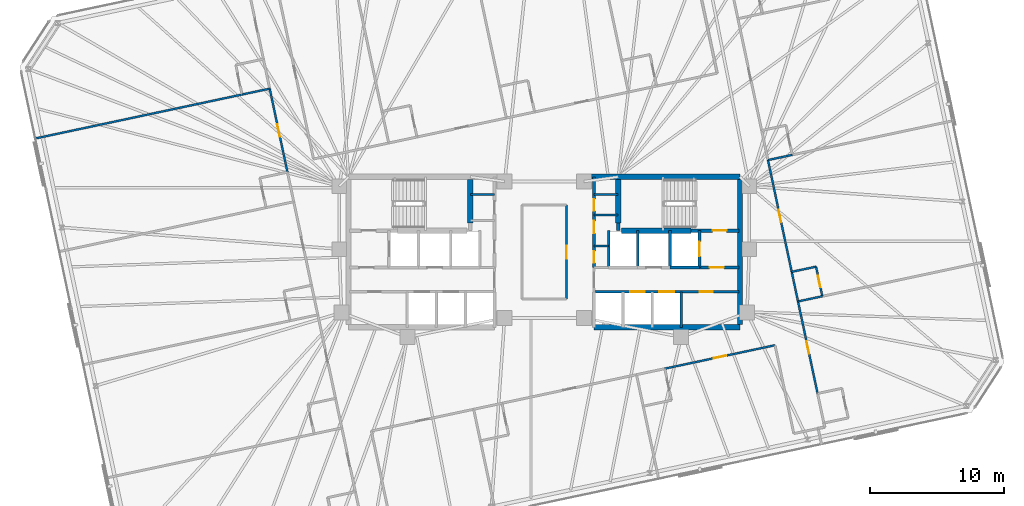
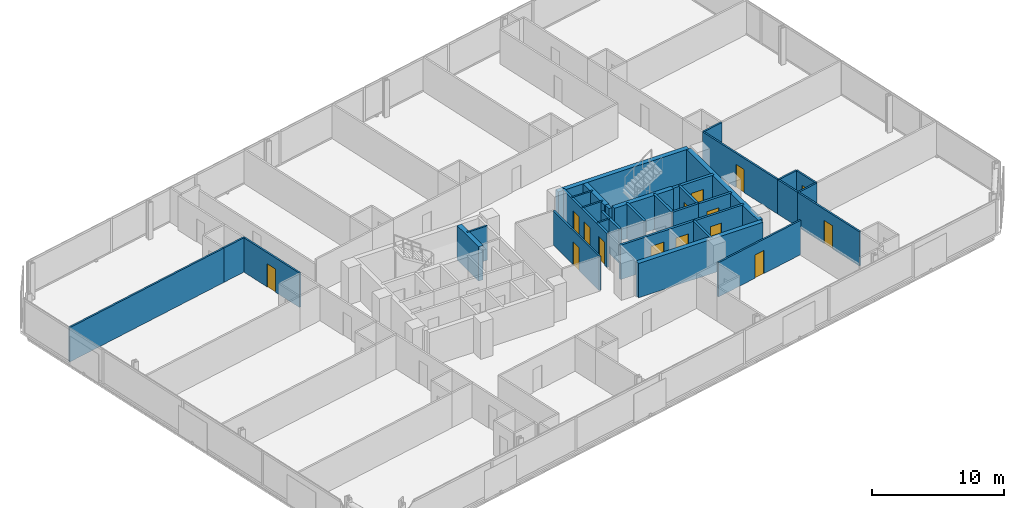
# One storey, part 16 of 19: 33 walls, 15 doors, 15 openings.
"""IFC4 building model written with IfcOpenShell, lengths in metres."""

from ifc_helpers import new_model, si_unit, direction, frame, frame_2d, origin, place, context, subcontext, project, spatial, rectangle, extrude, material, layer, layer_set, type_object, element, fill, save


model = new_model("IFC4")

# Units and contexts
model_context = context("Model", 3, precision=1e-05, world=origin(), true_north=direction((0.0, 1.0)))
body_context = subcontext(model_context, "Body", "Model", "MODEL_VIEW")
ifc_project = project(units=[si_unit("LENGTHUNIT", "METRE"), si_unit("AREAUNIT", "SQUARE_METRE"), si_unit("VOLUMEUNIT", "CUBIC_METRE"), si_unit("PLANEANGLEUNIT", "RADIAN"), si_unit("MASSUNIT", "GRAM", prefix="KILO")], contexts=[model_context])

# Site, building, storey
site_placement = place(None, origin())
site = spatial("IfcSite", under=ifc_project, at=site_placement, CompositionType="ELEMENT")
building_placement = place(site_placement, origin())
building = spatial("IfcBuilding", under=site, at=building_placement, Name="Menara Jurai Vektor", CompositionType="ELEMENT")
storey_placement = place(building_placement, frame((0.0, 0.0, 161.60009765625)))
storey = spatial("IfcBuildingStorey", under=building, at=storey_placement, Name="L41", CompositionType="ELEMENT", Elevation=161.60009765625)

# Wall, opening, door
ifc_material_1 = material(Name="Concrete C40/50", Category="concrete")
ifc_layer_1 = layer(ifc_material_1, 0.25)
ifc_layer_set_1 = layer_set([ifc_layer_1], Name="Concrete C40/50")
wall_type_1 = type_object("IfcWallType", Name="INT-WALL-CORE-250", PredefinedType="STANDARD", material=ifc_layer_set_1)
wall_1_placement = place(storey_placement, frame((10.89990234375, 1.60009765625, 0.0), z_axis=(0.0, 0.0, 1.0), x_axis=(1.0, 0.0, 0.0)))
wall_1 = element("IfcWall", 1, at=wall_1_placement, inside=storey, type_object=wall_type_1, Name="Interior Wall IW-250 L41", PredefinedType="STANDARD", context=body_context, shape_type="SweptSolid", body=[
    extrude(rectangle(XDim=3.60009765625, YDim=0.25, at=frame_2d((1.800048828125, 0.0))), origin(), (0.0, 0.0, 1.0), 3.1748046875),
])
opening_1_placement = place(wall_1_placement, frame((1.6201171875, 0.0, 0.0)))
opening_1 = element("IfcOpeningElement", 2, at=opening_1_placement, cuts=wall_1, Name="Opening D-L41-ST2", PredefinedType="OPENING", context=body_context, shape_type="SweptSolid", body=[
    extrude(rectangle(XDim=1.050048828125, YDim=2.14990234375, at=frame_2d((0.52490234375, 1.074951171875))), frame((0.0, 0.135009765625, 0.0), z_axis=(0.0, -1.0, 0.0), x_axis=(1.0, 0.0, 0.0)), (0.0, 0.0, 1.0), 0.27001953125),
])
ifc_material_2 = material(Name="Fire-Rated Steel Door", Category="steel")
door_type_1 = type_object("IfcDoorType", Name="DR-STAIR-1050", OperationType="NOTDEFINED", PredefinedType="DOOR", material=ifc_material_2)
door_1_placement = place(opening_1_placement, origin())
door_1 = element("IfcDoor", 3, at=door_1_placement, inside=storey, type_object=door_type_1, Name="Exit Stair ST2 Door L41", OperationType="SINGLE_SWING_LEFT", OverallHeight=2.14990234375, OverallWidth=1.050048828125, PredefinedType="DOOR", context=body_context, shape_type="SweptSolid", body=[
    extrude(rectangle(XDim=1.050048828125, YDim=2.14990234375, at=frame_2d((0.52490234375, 1.074951171875))), frame((0.0, 0.02490234375, 0.0), z_axis=(0.0, -1.0, 0.0), x_axis=(1.0, 0.0, 0.0)), (0.0, 0.0, 1.0), 0.050048828125),
])
fill(opening_1, door_1)

# Wall
wall_2_placement = place(storey_placement, frame((5.5, 1.60009765625, 0.0), z_axis=(0.0, 0.0, 1.0), x_axis=(0.0, 1.0, 0.0)))
element("IfcWall", 4, at=wall_2_placement, inside=storey, type_object=wall_type_1, Name="Interior Wall IW-250 L41", PredefinedType="STANDARD", context=body_context, shape_type="SweptSolid", body=[
    extrude(rectangle(XDim=0.5498046875, YDim=0.25, at=frame_2d((0.27490234375, 0.0))), origin(), (0.0, 0.0, 1.0), 3.1748046875),
])

# Wall, opening, door
wall_3_placement = place(storey_placement, frame((11.550048828125, -1.14990234375, 0.0), z_axis=(0.0, 0.0, 1.0), x_axis=(0.0, 1.0, 0.0)))
wall_3 = element("IfcWall", 5, at=wall_3_placement, inside=storey, type_object=wall_type_1, Name="Interior Wall IW-250 L41", PredefinedType="STANDARD", context=body_context, shape_type="SweptSolid", body=[
    extrude(rectangle(XDim=2.75, YDim=0.199951171875, at=frame_2d((1.375, 0.0))), origin(), (0.0, 0.0, 1.0), 3.1748046875),
])
opening_2_placement = place(wall_3_placement, frame((0.824951171875, 0.0, 0.0)))
opening_2 = element("IfcOpeningElement", 6, at=opening_2_placement, cuts=wall_3, Name="Opening LD-L41-FL2", PredefinedType="OPENING", context=body_context, shape_type="SweptSolid", body=[
    extrude(rectangle(XDim=1.10009765625, YDim=2.14990234375, at=frame_2d((0.550048828125, 1.074951171875))), frame((0.0, 0.10986328125, 0.0), z_axis=(0.0, -1.0, 0.0), x_axis=(1.0, 0.0, 0.0)), (0.0, 0.0, 1.0), 0.219970703125),
])
ifc_material_3 = material(Name="Stainless Steel Sliding Lift Landing Door", Category="steel")
door_type_2 = type_object("IfcDoorType", Name="DR-LIFT-FIRE-1100", OperationType="NOTDEFINED", PredefinedType="DOOR", material=ifc_material_3)
door_2_placement = place(opening_2_placement, origin())
door_2 = element("IfcDoor", 7, at=door_2_placement, inside=storey, type_object=door_type_2, Name="Lift Landing Door FL2 L41", OperationType="SLIDING_TO_RIGHT", OverallHeight=2.14990234375, OverallWidth=1.10009765625, PredefinedType="DOOR", context=body_context, shape_type="SweptSolid", body=[
    extrude(rectangle(XDim=1.10009765625, YDim=2.14990234375, at=frame_2d((0.550048828125, 1.074951171875))), frame((0.0, 0.02490234375, 0.0), z_axis=(0.0, -1.0, 0.0), x_axis=(1.0, 0.0, 0.0)), (0.0, 0.0, 1.0), 0.050048828125),
])
fill(opening_2, door_2)

# Wall
wall_4_placement = place(storey_placement, frame((9.35009765625, -1.14990234375, 0.0), z_axis=(0.0, 0.0, 1.0), x_axis=(0.0, 1.0, 0.0)))
element("IfcWall", 8, at=wall_4_placement, inside=storey, type_object=wall_type_1, Name="Interior Wall IW-250 L41", PredefinedType="STANDARD", context=body_context, shape_type="SweptSolid", body=[
    extrude(rectangle(XDim=2.75, YDim=0.199951171875, at=frame_2d((1.375, 0.0))), origin(), (0.0, 0.0, 1.0), 3.1748046875),
])

# Wall, opening, door
wall_5_placement = place(storey_placement, frame((11.550048828125, -1.14990234375, 0.0), z_axis=(0.0, 0.0, 1.0), x_axis=(1.0, 0.0, 0.0)))
wall_5 = element("IfcWall", 9, at=wall_5_placement, inside=storey, type_object=wall_type_1, Name="Interior Wall IW-250 L41", PredefinedType="STANDARD", context=body_context, shape_type="SweptSolid", body=[
    extrude(rectangle(XDim=2.949951171875, YDim=0.199951171875, at=frame_2d((1.47509765625, 0.0))), origin(), (0.0, 0.0, 1.0), 3.1748046875),
])
opening_3_placement = place(wall_5_placement, frame((0.75, 0.0, 0.0)))
opening_3 = element("IfcOpeningElement", 10, at=opening_3_placement, cuts=wall_5, Name="Opening D-L41-FFE", PredefinedType="OPENING", context=body_context, shape_type="SweptSolid", body=[
    extrude(rectangle(XDim=1.050048828125, YDim=2.179931640625, at=frame_2d((0.52490234375, 1.08984375))), frame((0.0, 0.10986328125, 0.0), z_axis=(0.0, -1.0, 0.0), x_axis=(1.0, 0.0, 0.0)), (0.0, 0.0, 1.0), 0.219970703125),
])
ifc_material_4 = material(Name="Fire-Rated Timber Door", Category="wood")
door_type_3 = type_object("IfcDoorType", Name="DR-LOBBY-1050", OperationType="NOTDEFINED", PredefinedType="DOOR", material=ifc_material_4)
door_3_placement = place(opening_3_placement, origin())
door_3 = element("IfcDoor", 11, at=door_3_placement, inside=storey, type_object=door_type_3, Name="Fire Lift Lobby Door E L41", OperationType="SINGLE_SWING_LEFT", OverallHeight=2.179931640625, OverallWidth=1.050048828125, PredefinedType="DOOR", context=body_context, shape_type="SweptSolid", body=[
    extrude(rectangle(XDim=1.050048828125, YDim=2.179931640625, at=frame_2d((0.52490234375, 1.08984375))), frame((0.0, 0.02490234375, 0.0), z_axis=(0.0, -1.0, 0.0), x_axis=(1.0, 0.0, 0.0)), (0.0, 0.0, 1.0), 0.050048828125),
])
fill(opening_3, door_3)

# Walls
wall_6_placement = place(storey_placement, frame((9.35009765625, -1.14990234375, 0.0), z_axis=(0.0, 0.0, 1.0), x_axis=(1.0, 0.0, 0.0)))
element("IfcWall", 12, at=wall_6_placement, inside=storey, type_object=wall_type_1, Name="Interior Wall IW-250 L41", PredefinedType="STANDARD", context=body_context, shape_type="SweptSolid", body=[
    extrude(rectangle(XDim=2.199951171875, YDim=0.199951171875, at=frame_2d((1.10009765625, 0.0))), origin(), (0.0, 0.0, 1.0), 3.1748046875),
])
ifc_material_5 = material(Name="Gypsum Fireboard Partition", Category="gypsum")
ifc_layer_2 = layer(ifc_material_5, 0.14990234375)
ifc_layer_set_2 = layer_set([ifc_layer_2], Name="Gypsum Fireboard Partition")
wall_type_2 = type_object("IfcWallType", Name="INT-WALL-CORR-150", PredefinedType="PARTITIONING", material=ifc_layer_set_2)
for number, where, z_axis, x_axis, name in (
    (13, (-5.5, 4.300048828125, 0.0), (0.0, 0.0, 1.0), (1.0, 0.0, 0.0), "Interior Wall IW-150 L41"),
    (14, (3.699951171875, 4.300048828125, 0.0), (0.0, 0.0, 1.0), (1.0, 0.0, 0.0), "Interior Wall IW-150 L41"),
):
    element("IfcWall", number, at=place(storey_placement, frame(where, z_axis=z_axis, x_axis=x_axis)), inside=storey, type_object=wall_type_2, Name=name, PredefinedType="PARTITIONING", context=body_context, shape_type="SweptSolid", body=[
        extrude(rectangle(XDim=1.800048828125, YDim=0.14990234375, at=frame_2d((0.89990234375, 0.0))), origin(), (0.0, 0.0, 1.0), 3.1748046875),
    ])
wall_7_placement = place(storey_placement, frame((3.699951171875, 0.449951171875, 0.0), z_axis=(0.0, 0.0, 1.0), x_axis=(1.0, 0.0, 0.0)))
element("IfcWall", 15, at=wall_7_placement, inside=storey, type_object=wall_type_2, Name="Interior Wall IW-150 L41", PredefinedType="PARTITIONING", context=body_context, shape_type="SweptSolid", body=[
    extrude(rectangle(XDim=1.090087890625, YDim=0.14990234375, at=frame_2d((0.544921875, 0.0))), origin(), (0.0, 0.0, 1.0), 3.1748046875),
])
wall_8_placement = place(storey_placement, frame((3.699951171875, 2.75, 0.0), z_axis=(0.0, 0.0, 1.0), x_axis=(1.0, 0.0, 0.0)))
element("IfcWall", 16, at=wall_8_placement, inside=storey, type_object=wall_type_2, Name="Interior Wall IW-150 L41", PredefinedType="PARTITIONING", context=body_context, shape_type="SweptSolid", body=[
    extrude(rectangle(XDim=1.800048828125, YDim=0.14990234375, at=frame_2d((0.89990234375, 0.0))), origin(), (0.0, 0.0, 1.0), 3.1748046875),
])

# Wall, opening, door
wall_9_placement = place(storey_placement, frame((1.650390625, -3.490234375, 0.0), z_axis=(0.0, 0.0, 1.0), x_axis=(-6.9952083e-05, 0.999999997553, 0.0)))
wall_9 = element("IfcWall", 17, at=wall_9_placement, inside=storey, type_object=wall_type_2, Name="Interior Wall IW-150 L41", PredefinedType="PARTITIONING", context=body_context, shape_type="SweptSolid", body=[
    extrude(rectangle(XDim=6.980224609375, YDim=0.14990234375, at=frame_2d((3.490234375, 0.0))), origin(), (0.0, 0.0, 1.0), 3.1748046875),
])
opening_4_placement = place(wall_9_placement, frame((3.01513671875, 0.0, 0.0)))
opening_4 = element("IfcOpeningElement", 18, at=opening_4_placement, cuts=wall_9, Name="Opening D41-08", PredefinedType="OPENING", context=body_context, shape_type="SweptSolid", body=[
    extrude(rectangle(XDim=0.949951171875, YDim=2.14990234375, at=frame_2d((0.47509765625, 1.074951171875))), frame((0.0, 0.0849609375, 0.0), z_axis=(0.0, -1.0, 0.0), x_axis=(1.0, 0.0, 0.0)), (0.0, 0.0, 1.0), 0.169921875),
])
ifc_material_6 = material(Name="Solid Core Timber Fire Door", Category="wood")
door_type_4 = type_object("IfcDoorType", Name="DR-ENTRY-950", OperationType="NOTDEFINED", PredefinedType="DOOR", material=ifc_material_6)
door_4_placement = place(opening_4_placement, origin())
door_4 = element("IfcDoor", 19, at=door_4_placement, inside=storey, type_object=door_type_4, Name="Interior Door D41-08", OperationType="SINGLE_SWING_LEFT", OverallHeight=2.14990234375, OverallWidth=0.949951171875, PredefinedType="DOOR", context=body_context, shape_type="SweptSolid", body=[
    extrude(rectangle(XDim=0.949951171875, YDim=2.14990234375, at=frame_2d((0.47509765625, 1.074951171875))), frame((0.0, 0.02490234375, 0.0), z_axis=(0.0, -1.0, 0.0), x_axis=(1.0, 0.0, 0.0)), (0.0, 0.0, 1.0), 0.050048828125),
])
fill(opening_4, door_4)

wall_10_placement = place(storey_placement, frame((8.963623046875, -8.66796875, 0.0), z_axis=(0.0, 0.0, 1.0), x_axis=(0.978149300771, 0.20790369261, 0.0)))
wall_10 = element("IfcWall", 20, at=wall_10_placement, inside=storey, type_object=wall_type_2, Name="Interior Wall IW-150 L41", PredefinedType="PARTITIONING", context=body_context, shape_type="SweptSolid", body=[
    extrude(rectangle(XDim=8.382080078125, YDim=0.14990234375, at=frame_2d((4.19091796875, 0.0))), origin(), (0.0, 0.0, 1.0), 3.1748046875),
])
opening_5_placement = place(wall_10_placement, frame((3.73095703125, 0.0, 0.0)))
opening_5 = element("IfcOpeningElement", 21, at=opening_5_placement, cuts=wall_10, Name="Opening D41-19", PredefinedType="OPENING", context=body_context, shape_type="SweptSolid", body=[
    extrude(rectangle(XDim=0.919921875, YDim=2.14990234375, at=frame_2d((0.4599609375, 1.074951171875))), frame((0.0, 0.0849609375, 0.0), z_axis=(0.0, -1.0, 0.0), x_axis=(1.0, 0.0, 0.0)), (0.0, 0.0, 1.0), 0.169921875),
])
door_5_placement = place(opening_5_placement, origin())
door_5 = element("IfcDoor", 22, at=door_5_placement, inside=storey, type_object=door_type_4, Name="Interior Door D41-19", OperationType="SINGLE_SWING_RIGHT", OverallHeight=2.14990234375, OverallWidth=0.919921875, PredefinedType="DOOR", context=body_context, shape_type="SweptSolid", body=[
    extrude(rectangle(XDim=0.919921875, YDim=2.14990234375, at=frame_2d((0.4599609375, 1.074951171875))), frame((0.0, 0.02490234375, 0.0), z_axis=(0.0, -1.0, 0.0), x_axis=(1.0, 0.0, 0.0)), (0.0, 0.0, 1.0), 0.050048828125),
])
fill(opening_5, door_5)

wall_11_placement = place(storey_placement, frame((-19.10107421875, 5.9462890625, 0.0), z_axis=(0.0, 0.0, 1.0), x_axis=(-0.207916691923, 0.978146537703, 0.0)))
wall_11 = element("IfcWall", 23, at=wall_11_placement, inside=storey, type_object=wall_type_2, Name="Interior Wall IW-150 L41", PredefinedType="PARTITIONING", context=body_context, shape_type="SweptSolid", body=[
    extrude(rectangle(XDim=6.35009765625, YDim=0.14990234375, at=frame_2d((3.175048828125, 0.0))), origin(), (0.0, 0.0, 1.0), 3.1748046875),
])
opening_6_placement = place(wall_11_placement, frame((2.699951171875, 0.0, 0.0)))
opening_6 = element("IfcOpeningElement", 24, at=opening_6_placement, cuts=wall_11, Name="Opening D41-27", PredefinedType="OPENING", context=body_context, shape_type="SweptSolid", body=[
    extrude(rectangle(XDim=0.949951171875, YDim=2.14990234375, at=frame_2d((0.47509765625, 1.074951171875))), frame((0.0, 0.0849609375, 0.0), z_axis=(0.0, -1.0, 0.0), x_axis=(1.0, 0.0, 0.0)), (0.0, 0.0, 1.0), 0.169921875),
])
door_6_placement = place(opening_6_placement, origin())
door_6 = element("IfcDoor", 25, at=door_6_placement, inside=storey, type_object=door_type_4, Name="Interior Door D41-27", OperationType="SINGLE_SWING_RIGHT", OverallHeight=2.14990234375, OverallWidth=0.949951171875, PredefinedType="DOOR", context=body_context, shape_type="SweptSolid", body=[
    extrude(rectangle(XDim=0.949951171875, YDim=2.14990234375, at=frame_2d((0.47509765625, 1.074951171875))), frame((0.0, 0.02490234375, 0.0), z_axis=(0.0, -1.0, 0.0), x_axis=(1.0, 0.0, 0.0)), (0.0, 0.0, 1.0), 0.050048828125),
])
fill(opening_6, door_6)

wall_12_placement = place(storey_placement, frame((20.328125, -10.515380859375, 0.0), z_axis=(0.0, 0.0, 1.0), x_axis=(-0.207906726269, 0.978148655968, 0.0)))
wall_12 = element("IfcWall", 26, at=wall_12_placement, inside=storey, type_object=wall_type_2, Name="Interior Wall IW-150 L41", PredefinedType="PARTITIONING", context=body_context, shape_type="SweptSolid", body=[
    extrude(rectangle(XDim=7.0, YDim=0.14990234375, at=frame_2d((3.5, 0.0))), origin(), (0.0, 0.0, 1.0), 3.1748046875),
])
opening_7_placement = place(wall_12_placement, frame((3.02490234375, 0.0, 0.0)))
opening_7 = element("IfcOpeningElement", 27, at=opening_7_placement, cuts=wall_12, Name="Opening D41-31", PredefinedType="OPENING", context=body_context, shape_type="SweptSolid", body=[
    extrude(rectangle(XDim=0.949951171875, YDim=2.14990234375, at=frame_2d((0.47509765625, 1.074951171875))), frame((0.0, 0.0849609375, 0.0), z_axis=(0.0, -1.0, 0.0), x_axis=(1.0, 0.0, 0.0)), (0.0, 0.0, 1.0), 0.169921875),
])
door_7_placement = place(opening_7_placement, origin())
door_7 = element("IfcDoor", 28, at=door_7_placement, inside=storey, type_object=door_type_4, Name="Interior Door D41-31", OperationType="SINGLE_SWING_RIGHT", OverallHeight=2.14990234375, OverallWidth=0.949951171875, PredefinedType="DOOR", context=body_context, shape_type="SweptSolid", body=[
    extrude(rectangle(XDim=0.949951171875, YDim=2.14990234375, at=frame_2d((0.47509765625, 1.074951171875))), frame((0.0, 0.02490234375, 0.0), z_axis=(0.0, -1.0, 0.0), x_axis=(1.0, 0.0, 0.0)), (0.0, 0.0, 1.0), 0.050048828125),
])
fill(opening_7, door_7)

wall_13_placement = place(storey_placement, frame((18.40478515625, -1.4677734375, 0.0), z_axis=(0.0, 0.0, 1.0), x_axis=(-0.207888984761, 0.97815242678, 0.0)))
wall_13 = element("IfcWall", 29, at=wall_13_placement, inside=storey, type_object=wall_type_2, Name="Interior Wall IW-150 L41", PredefinedType="PARTITIONING", context=body_context, shape_type="SweptSolid", body=[
    extrude(rectangle(XDim=8.500244140625, YDim=0.14990234375, at=frame_2d((4.25, 0.0))), origin(), (0.0, 0.0, 1.0), 3.1748046875),
])
opening_8_placement = place(wall_13_placement, frame((3.77490234375, 0.0, 0.0)))
opening_8 = element("IfcOpeningElement", 30, at=opening_8_placement, cuts=wall_13, Name="Opening D41-33", PredefinedType="OPENING", context=body_context, shape_type="SweptSolid", body=[
    extrude(rectangle(XDim=0.949951171875, YDim=2.14990234375, at=frame_2d((0.47509765625, 1.074951171875))), frame((0.0, 0.0849609375, 0.0), z_axis=(0.0, -1.0, 0.0), x_axis=(1.0, 0.0, 0.0)), (0.0, 0.0, 1.0), 0.169921875),
])
door_8_placement = place(opening_8_placement, origin())
door_8 = element("IfcDoor", 31, at=door_8_placement, inside=storey, type_object=door_type_4, Name="Interior Door D41-33", OperationType="SINGLE_SWING_RIGHT", OverallHeight=2.14990234375, OverallWidth=0.949951171875, PredefinedType="DOOR", context=body_context, shape_type="SweptSolid", body=[
    extrude(rectangle(XDim=0.949951171875, YDim=2.14990234375, at=frame_2d((0.47509765625, 1.074951171875))), frame((0.0, 0.02490234375, 0.0), z_axis=(0.0, -1.0, 0.0), x_axis=(1.0, 0.0, 0.0)), (0.0, 0.0, 1.0), 0.050048828125),
])
fill(opening_8, door_8)

# Walls
wall_14_placement = place(storey_placement, frame((18.872802734375, -3.66845703125, 0.0), z_axis=(0.0, 0.0, 1.0), x_axis=(-0.208017083936, 0.9781251928, 0.0)))
element("IfcWall", 32, at=wall_14_placement, inside=storey, type_object=wall_type_2, Name="Interior Wall IW-150 L41", PredefinedType="PARTITIONING", context=body_context, shape_type="SweptSolid", body=[
    extrude(rectangle(XDim=2.25, YDim=0.14990234375, at=frame_2d((1.125, 0.0))), origin(), (0.0, 0.0, 1.0), 3.1748046875),
])
wall_15_placement = place(storey_placement, frame((-37.85009765625, 8.453125, 0.0), z_axis=(0.0, 0.0, 1.0), x_axis=(0.978149296727, 0.207903711638, 0.0)))
element("IfcWall", 33, at=wall_15_placement, inside=storey, type_object=wall_type_2, Name="Interior Wall IW-150 L41", PredefinedType="PARTITIONING", context=body_context, shape_type="SweptSolid", body=[
    extrude(rectangle(XDim=15.718017578125, YDim=0.14990234375, at=frame_2d((7.85888671875, 0.0))), origin(), (0.0, 0.0, 1.0), 3.1748046875),
])
wall_16_placement = place(storey_placement, frame((-22.4755859375, 11.720947265625, 0.0), z_axis=(0.0, 0.0, 1.0), x_axis=(0.978134617382, 0.207972763311, 0.0)))
element("IfcWall", 34, at=wall_16_placement, inside=storey, type_object=wall_type_2, Name="Interior Wall IW-150 L41", PredefinedType="PARTITIONING", context=body_context, shape_type="SweptSolid", body=[
    extrude(rectangle(XDim=2.10009765625, YDim=0.14990234375, at=frame_2d((1.050048828125, 0.0))), origin(), (0.0, 0.0, 1.0), 3.1748046875),
])
wall_17_placement = place(storey_placement, frame((18.872802734375, -3.66845703125, 0.0), z_axis=(0.0, 0.0, 1.0), x_axis=(0.978160192495, 0.207852442415, 0.0)))
element("IfcWall", 35, at=wall_17_placement, inside=storey, type_object=wall_type_2, Name="Interior Wall IW-150 L41", PredefinedType="PARTITIONING", context=body_context, shape_type="SweptSolid", body=[
    extrude(rectangle(XDim=1.849853515625, YDim=0.14990234375, at=frame_2d((0.9248046875, 0.0))), origin(), (0.0, 0.0, 1.0), 3.1748046875),
])
wall_18_placement = place(storey_placement, frame((18.40478515625, -1.4677734375, 0.0), z_axis=(0.0, 0.0, 1.0), x_axis=(0.978139061018, 0.207951862966, 0.0)))
element("IfcWall", 36, at=wall_18_placement, inside=storey, type_object=wall_type_2, Name="Interior Wall IW-150 L41", PredefinedType="PARTITIONING", context=body_context, shape_type="SweptSolid", body=[
    extrude(rectangle(XDim=1.850341796875, YDim=0.14990234375, at=frame_2d((0.92529296875, 0.0))), origin(), (0.0, 0.0, 1.0), 3.1748046875),
])

# Wall, opening, door
wall_19_placement = place(storey_placement, frame((20.682373046875, -3.283935546875, 0.0), z_axis=(0.0, 0.0, 1.0), x_axis=(-0.207891197838, 0.978151956427, 0.0)))
wall_19 = element("IfcWall", 37, at=wall_19_placement, inside=storey, type_object=wall_type_2, Name="Interior Wall IW-150 L41", PredefinedType="PARTITIONING", context=body_context, shape_type="SweptSolid", body=[
    extrude(rectangle(XDim=2.25, YDim=0.14990234375, at=frame_2d((1.125, 0.0))), origin(), (0.0, 0.0, 1.0), 3.1748046875),
])
opening_9_placement = place(wall_19_placement, frame((0.68505859375, 0.0, 0.0)))
opening_9 = element("IfcOpeningElement", 38, at=opening_9_placement, cuts=wall_19, Name="Opening D41-34", PredefinedType="OPENING", context=body_context, shape_type="SweptSolid", body=[
    extrude(rectangle(XDim=0.8798828125, YDim=2.14990234375, at=frame_2d((0.43994140625, 1.074951171875))), frame((0.0, 0.0849609375, 0.0), z_axis=(0.0, -1.0, 0.0), x_axis=(1.0, 0.0, 0.0)), (0.0, 0.0, 1.0), 0.169921875),
])
ifc_material_7 = material(Name="Moisture-Resistant Timber Door", Category="wood")
door_type_5 = type_object("IfcDoorType", Name="DR-BATH-880", OperationType="NOTDEFINED", PredefinedType="DOOR", material=ifc_material_7)
door_9_placement = place(opening_9_placement, origin())
door_9 = element("IfcDoor", 39, at=door_9_placement, inside=storey, type_object=door_type_5, Name="Interior Door D41-34", OperationType="SINGLE_SWING_LEFT", OverallHeight=2.14990234375, OverallWidth=0.8798828125, PredefinedType="DOOR", context=body_context, shape_type="SweptSolid", body=[
    extrude(rectangle(XDim=0.8798828125, YDim=2.14990234375, at=frame_2d((0.43994140625, 1.074951171875))), frame((0.0, 0.02490234375, 0.0), z_axis=(0.0, -1.0, 0.0), x_axis=(1.0, 0.0, 0.0)), (0.0, 0.0, 1.0), 0.050048828125),
])
fill(opening_9, door_9)

# Wall
wall_20_placement = place(storey_placement, frame((16.6376953125, 6.8466796875, 0.0), z_axis=(0.0, 0.0, 1.0), x_axis=(0.978160192495, 0.207852442415, 0.0)))
element("IfcWall", 40, at=wall_20_placement, inside=storey, type_object=wall_type_2, Name="Interior Wall IW-150 L41", PredefinedType="PARTITIONING", context=body_context, shape_type="SweptSolid", body=[
    extrude(rectangle(XDim=1.849853515625, YDim=0.14990234375, at=frame_2d((0.9248046875, 0.0))), origin(), (0.0, 0.0, 1.0), 3.1748046875),
])

# Wall, openings, doors
ifc_layer_3 = layer(ifc_material_1, 0.199951171875)
ifc_layer_set_3 = layer_set([ifc_layer_3], Name="Concrete C40/50")
wall_type_3 = type_object("IfcWallType", Name="INT-WALL-SHAFT-200", PredefinedType="STANDARD", material=ifc_layer_set_3)
wall_21_placement = place(storey_placement, frame((3.699951171875, -1.14990234375, 0.0), z_axis=(0.0, 0.0, 1.0), x_axis=(0.0, 1.0, 0.0)))
wall_21 = element("IfcWall", 41, at=wall_21_placement, inside=storey, type_object=wall_type_3, Name="Interior Wall IW-200 L41", PredefinedType="STANDARD", context=body_context, shape_type="SweptSolid", body=[
    extrude(rectangle(XDim=6.75, YDim=0.199951171875, at=frame_2d((3.375, 0.0))), origin(), (0.0, 0.0, 1.0), 3.1748046875),
])
opening_10_placement = place(wall_21_placement, frame((0.35009765625, 0.0, 0.0)))
opening_10 = element("IfcOpeningElement", 42, at=opening_10_placement, cuts=wall_21, Name="Opening D41-05", PredefinedType="OPENING", context=body_context, shape_type="SweptSolid", body=[
    extrude(rectangle(XDim=0.8798828125, YDim=2.14990234375, at=frame_2d((0.43994140625, 1.074951171875))), frame((0.0, 0.10986328125, 0.0), z_axis=(0.0, -1.0, 0.0), x_axis=(1.0, 0.0, 0.0)), (0.0, 0.0, 1.0), 0.219970703125),
])
opening_11_placement = place(wall_21_placement, frame((2.550048828125, 0.0, 0.0)))
opening_11 = element("IfcOpeningElement", 43, at=opening_11_placement, cuts=wall_21, Name="Opening D41-06", PredefinedType="OPENING", context=body_context, shape_type="SweptSolid", body=[
    extrude(rectangle(XDim=0.919921875, YDim=2.14990234375, at=frame_2d((0.4599609375, 1.074951171875))), frame((0.0, 0.10986328125, 0.0), z_axis=(0.0, -1.0, 0.0), x_axis=(1.0, 0.0, 0.0)), (0.0, 0.0, 1.0), 0.219970703125),
])
opening_12_placement = place(wall_21_placement, frame((4.219970703125, 0.0, 0.0)))
opening_12 = element("IfcOpeningElement", 44, at=opening_12_placement, cuts=wall_21, Name="Opening D41-07", PredefinedType="OPENING", context=body_context, shape_type="SweptSolid", body=[
    extrude(rectangle(XDim=0.8798828125, YDim=2.14990234375, at=frame_2d((0.43994140625, 1.074951171875))), frame((0.0, 0.10986328125, 0.0), z_axis=(0.0, -1.0, 0.0), x_axis=(1.0, 0.0, 0.0)), (0.0, 0.0, 1.0), 0.219970703125),
])
door_10_placement = place(opening_10_placement, origin())
door_10 = element("IfcDoor", 45, at=door_10_placement, inside=storey, type_object=door_type_4, Name="Interior Door D41-05", OperationType="SINGLE_SWING_RIGHT", OverallHeight=2.14990234375, OverallWidth=0.8798828125, PredefinedType="DOOR", context=body_context, shape_type="SweptSolid", body=[
    extrude(rectangle(XDim=0.8798828125, YDim=2.14990234375, at=frame_2d((0.43994140625, 1.074951171875))), frame((0.0, 0.02490234375, 0.0), z_axis=(0.0, -1.0, 0.0), x_axis=(1.0, 0.0, 0.0)), (0.0, 0.0, 1.0), 0.050048828125),
])
fill(opening_10, door_10)
door_11_placement = place(opening_11_placement, origin())
door_11 = element("IfcDoor", 46, at=door_11_placement, inside=storey, type_object=door_type_4, Name="Interior Door D41-06", OperationType="SINGLE_SWING_RIGHT", OverallHeight=2.14990234375, OverallWidth=0.919921875, PredefinedType="DOOR", context=body_context, shape_type="SweptSolid", body=[
    extrude(rectangle(XDim=0.919921875, YDim=2.14990234375, at=frame_2d((0.4599609375, 1.074951171875))), frame((0.0, 0.02490234375, 0.0), z_axis=(0.0, -1.0, 0.0), x_axis=(1.0, 0.0, 0.0)), (0.0, 0.0, 1.0), 0.050048828125),
])
fill(opening_11, door_11)
door_12_placement = place(opening_12_placement, origin())
door_12 = element("IfcDoor", 47, at=door_12_placement, inside=storey, type_object=door_type_4, Name="Interior Door D41-07", OperationType="SINGLE_SWING_RIGHT", OverallHeight=2.14990234375, OverallWidth=0.8798828125, PredefinedType="DOOR", context=body_context, shape_type="SweptSolid", body=[
    extrude(rectangle(XDim=0.8798828125, YDim=2.14990234375, at=frame_2d((0.43994140625, 1.074951171875))), frame((0.0, 0.02490234375, 0.0), z_axis=(0.0, -1.0, 0.0), x_axis=(1.0, 0.0, 0.0)), (0.0, 0.0, 1.0), 0.050048828125),
])
fill(opening_12, door_12)

# Walls
for number, where, z_axis, x_axis, name in (
    (48, (6.949951171875, -1.14990234375, 0.0), (0.0, 0.0, 1.0), (0.0, 1.0, 0.0), "Interior Wall IW-200 L41"),
    (49, (4.7900390625, -1.14990234375, 0.0), (0.0, 0.0, 1.0), (0.0, 1.0, 0.0), "Interior Wall IW-200 L41"),
):
    element("IfcWall", number, at=place(storey_placement, frame(where, z_axis=z_axis, x_axis=x_axis)), inside=storey, type_object=wall_type_3, Name=name, PredefinedType="STANDARD", context=body_context, shape_type="SweptSolid", body=[
        extrude(rectangle(XDim=2.75, YDim=0.199951171875, at=frame_2d((1.375, 0.0))), origin(), (0.0, 0.0, 1.0), 3.1748046875),
    ])

# Wall, openings, doors
wall_22_placement = place(storey_placement, frame((3.699951171875, -2.949951171875, 0.0), z_axis=(0.0, 0.0, 1.0), x_axis=(1.0, 0.0, 0.0)))
wall_22 = element("IfcWall", 50, at=wall_22_placement, inside=storey, type_object=wall_type_3, Name="Interior Wall IW-200 L41", PredefinedType="STANDARD", context=body_context, shape_type="SweptSolid", body=[
    extrude(rectangle(XDim=10.800048828125, YDim=0.199951171875, at=frame_2d((5.39990234375, 0.0))), origin(), (0.0, 0.0, 1.0), 3.1748046875),
])
opening_13_placement = place(wall_22_placement, frame((2.68994140625, 0.0, 0.0)))
opening_13 = element("IfcOpeningElement", 51, at=opening_13_placement, cuts=wall_22, Name="Opening LD-L41-PM3", PredefinedType="OPENING", context=body_context, shape_type="SweptSolid", body=[
    extrude(rectangle(XDim=1.10009765625, YDim=2.14990234375, at=frame_2d((0.550048828125, 1.074951171875))), frame((0.0, 0.10986328125, 0.0), z_axis=(0.0, -1.0, 0.0), x_axis=(1.0, 0.0, 0.0)), (0.0, 0.0, 1.0), 0.219970703125),
])
opening_14_placement = place(wall_22_placement, frame((4.85009765625, 0.0, 0.0)))
opening_14 = element("IfcOpeningElement", 52, at=opening_14_placement, cuts=wall_22, Name="Opening LD-L41-PM4", PredefinedType="OPENING", context=body_context, shape_type="SweptSolid", body=[
    extrude(rectangle(XDim=1.10009765625, YDim=2.14990234375, at=frame_2d((0.550048828125, 1.074951171875))), frame((0.0, 0.10986328125, 0.0), z_axis=(0.0, -1.0, 0.0), x_axis=(1.0, 0.0, 0.0)), (0.0, 0.0, 1.0), 0.219970703125),
])
opening_15_placement = place(wall_22_placement, frame((7.8798828125, 0.0, 0.0)))
opening_15 = element("IfcOpeningElement", 53, at=opening_15_placement, cuts=wall_22, Name="Opening D41-04", PredefinedType="OPENING", context=body_context, shape_type="SweptSolid", body=[
    extrude(rectangle(XDim=0.949951171875, YDim=2.14990234375, at=frame_2d((0.47509765625, 1.074951171875))), frame((0.0, 0.10986328125, 0.0), z_axis=(0.0, -1.0, 0.0), x_axis=(1.0, 0.0, 0.0)), (0.0, 0.0, 1.0), 0.219970703125),
])
door_13_placement = place(opening_15_placement, origin())
door_13 = element("IfcDoor", 54, at=door_13_placement, inside=storey, type_object=door_type_4, Name="Interior Door D41-04", OperationType="SINGLE_SWING_LEFT", OverallHeight=2.14990234375, OverallWidth=0.949951171875, PredefinedType="DOOR", context=body_context, shape_type="SweptSolid", body=[
    extrude(rectangle(XDim=0.949951171875, YDim=2.14990234375, at=frame_2d((0.47509765625, 1.074951171875))), frame((0.0, 0.02490234375, 0.0), z_axis=(0.0, -1.0, 0.0), x_axis=(1.0, 0.0, 0.0)), (0.0, 0.0, 1.0), 0.050048828125),
])
fill(opening_15, door_13)
ifc_material_8 = material(Name="Anodised Stainless Sliding Lift Landing Door", Category="steel")
door_type_6 = type_object("IfcDoorType", Name="DR-LIFT-PASS-1100", OperationType="NOTDEFINED", PredefinedType="DOOR", material=ifc_material_8)
door_14_placement = place(opening_13_placement, origin())
door_14 = element("IfcDoor", 55, at=door_14_placement, inside=storey, type_object=door_type_6, Name="Lift Landing Door PM3 L41", OperationType="SLIDING_TO_LEFT", OverallHeight=2.14990234375, OverallWidth=1.10009765625, PredefinedType="DOOR", context=body_context, shape_type="SweptSolid", body=[
    extrude(rectangle(XDim=1.10009765625, YDim=2.14990234375, at=frame_2d((0.550048828125, 1.074951171875))), frame((0.0, 0.02490234375, 0.0), z_axis=(0.0, -1.0, 0.0), x_axis=(1.0, 0.0, 0.0)), (0.0, 0.0, 1.0), 0.050048828125),
])
fill(opening_13, door_14)
door_15_placement = place(opening_14_placement, origin())
door_15 = element("IfcDoor", 56, at=door_15_placement, inside=storey, type_object=door_type_6, Name="Lift Landing Door PM4 L41", OperationType="SLIDING_TO_RIGHT", OverallHeight=2.14990234375, OverallWidth=1.10009765625, PredefinedType="DOOR", context=body_context, shape_type="SweptSolid", body=[
    extrude(rectangle(XDim=1.10009765625, YDim=2.14990234375, at=frame_2d((0.550048828125, 1.074951171875))), frame((0.0, 0.02490234375, 0.0), z_axis=(0.0, -1.0, 0.0), x_axis=(1.0, 0.0, 0.0)), (0.0, 0.0, 1.0), 0.050048828125),
])
fill(opening_14, door_15)

# Walls
wall_23_placement = place(storey_placement, frame((10.179931640625, -5.60009765625, 0.0), z_axis=(0.0, 0.0, 1.0), x_axis=(0.0, 1.0, 0.0)))
element("IfcWall", 57, at=wall_23_placement, inside=storey, type_object=wall_type_3, Name="Interior Wall IW-200 L41", PredefinedType="STANDARD", context=body_context, shape_type="SweptSolid", body=[
    extrude(rectangle(XDim=2.650146484375, YDim=0.179931640625, at=frame_2d((1.3251953125, 0.0))), origin(), (0.0, 0.0, 1.0), 3.1748046875),
])
ifc_material_9 = material(Name="Concrete C50/60", Category="concrete")
ifc_layer_4 = layer(ifc_material_9, 0.39990234375)
ifc_layer_set_4 = layer_set([ifc_layer_4], Name="Concrete C50/60")
wall_type_4 = type_object("IfcWallType", Name="STR-WALL-CORE400", PredefinedType="SHEAR", material=ifc_layer_set_4)
wall_24_placement = place(storey_placement, frame((-5.5, 2.14990234375, 0.0), z_axis=(0.0, 0.0, 1.0), x_axis=(0.0, 1.0, 0.0)))
element("IfcWall", 58, at=wall_24_placement, inside=storey, type_object=wall_type_4, Name="Core Shear Wall CW-W-ST L41", PredefinedType="SHEAR", context=body_context, shape_type="SweptSolid", body=[
    extrude(rectangle(XDim=3.25, YDim=0.39990234375, at=frame_2d((1.625, 0.0))), origin(), (0.0, 0.0, 1.0), 3.1748046875),
])
wall_25_placement = place(storey_placement, frame((3.14990234375, 5.60009765625, 0.0), z_axis=(0.0, 0.0, 1.0), x_axis=(1.0, 0.0, 0.0)))
element("IfcWall", 59, at=wall_25_placement, inside=storey, type_object=wall_type_4, Name="Core Shear Wall CW-E-N L41", PredefinedType="SHEAR", context=body_context, shape_type="SweptSolid", body=[
    extrude(rectangle(XDim=11.41015625, YDim=0.39990234375, at=frame_2d((5.705078125, 0.0))), origin(), (0.0, 0.0, 1.0), 3.1748046875),
])
wall_26_placement = place(storey_placement, frame((3.699951171875, -5.60009765625, 0.0), z_axis=(0.0, 0.0, 1.0), x_axis=(1.0, 0.0, 0.0)))
element("IfcWall", 60, at=wall_26_placement, inside=storey, type_object=wall_type_4, Name="Core Shear Wall CW-E-S L41", PredefinedType="SHEAR", context=body_context, shape_type="SweptSolid", body=[
    extrude(rectangle(XDim=10.860107421875, YDim=0.39990234375, at=frame_2d((5.43017578125, 0.0))), origin(), (0.0, 0.0, 1.0), 3.1748046875),
])
wall_27_placement = place(storey_placement, frame((14.56005859375, -5.39990234375, 0.0), z_axis=(0.0, 0.0, 1.0), x_axis=(0.0, 1.0, 0.0)))
element("IfcWall", 61, at=wall_27_placement, inside=storey, type_object=wall_type_4, Name="Core Shear Wall CW-E-E L41", PredefinedType="SHEAR", context=body_context, shape_type="SweptSolid", body=[
    extrude(rectangle(XDim=10.7998046875, YDim=0.39990234375, at=frame_2d((5.39990234375, 0.0))), origin(), (0.0, 0.0, 1.0), 3.1748046875),
])
wall_28_placement = place(storey_placement, frame((5.5, 2.14990234375, 0.0), z_axis=(0.0, 0.0, 1.0), x_axis=(0.0, 1.0, 0.0)))
element("IfcWall", 62, at=wall_28_placement, inside=storey, type_object=wall_type_4, Name="Core Shear Wall CW-E-ST L41", PredefinedType="SHEAR", context=body_context, shape_type="SweptSolid", body=[
    extrude(rectangle(XDim=3.25, YDim=0.39990234375, at=frame_2d((1.625, 0.0))), origin(), (0.0, 0.0, 1.0), 3.1748046875),
])
wall_29_placement = place(storey_placement, frame((5.75, 1.60009765625, 0.0), z_axis=(0.0, 0.0, 1.0), x_axis=(1.0, 0.0, 0.0)))
element("IfcWall", 63, at=wall_29_placement, inside=storey, type_object=wall_type_4, Name="Core Shear Wall CW-E-STS L41", PredefinedType="SHEAR", context=body_context, shape_type="SweptSolid", body=[
    extrude(rectangle(XDim=5.14990234375, YDim=0.39990234375, at=frame_2d((2.574951171875, 0.0))), origin(), (0.0, 0.0, 1.0), 3.1748046875),
])

save(model, "model.ifc")
